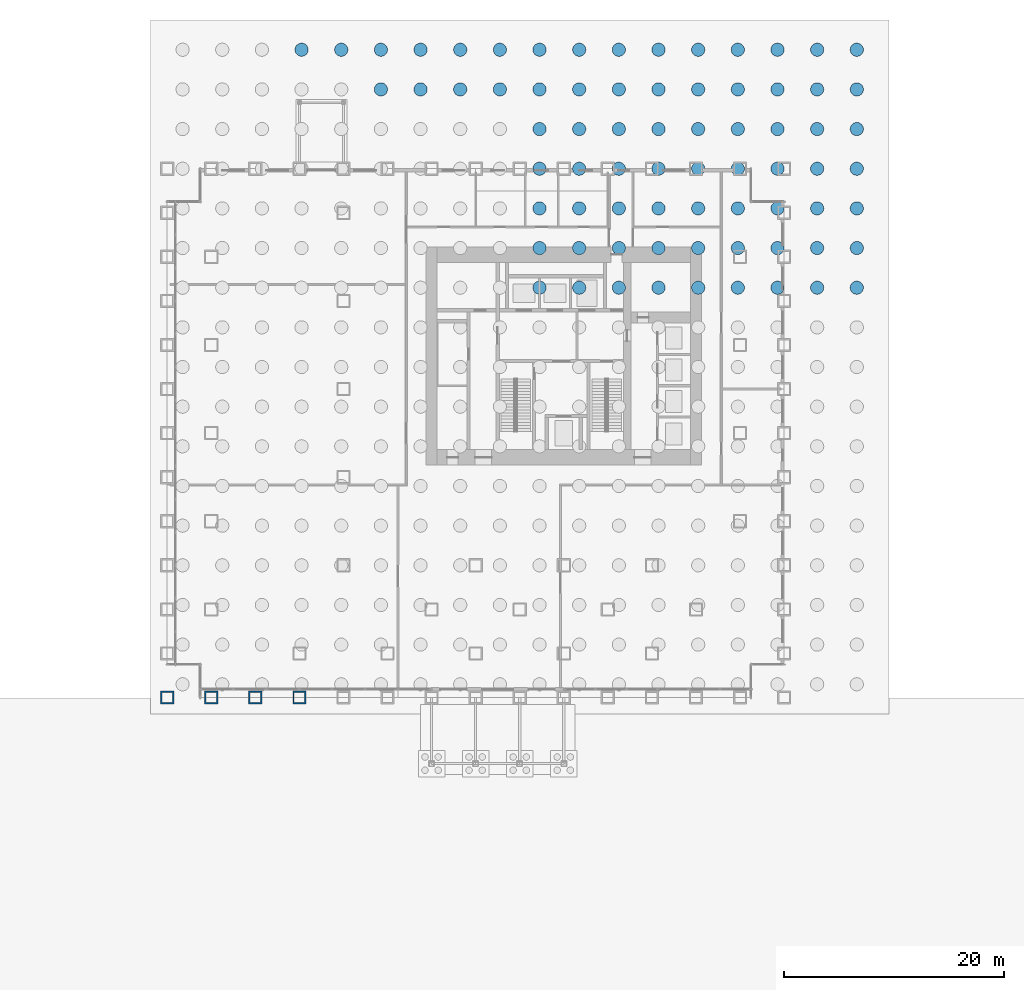
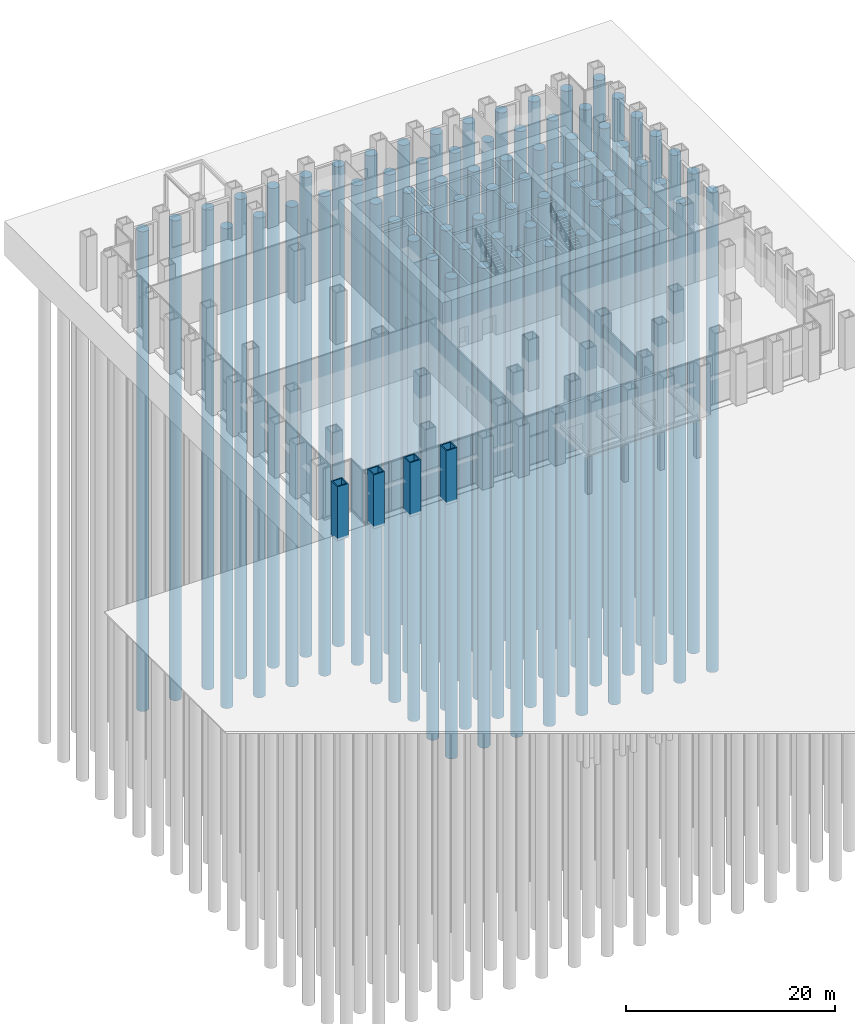
# One storey, part 2 of 17: 73 piles, 4 columns.
"""IFC4 building model written with IfcOpenShell, lengths in metres."""

from ifc_helpers import new_model, si_unit, direction, frame, origin, origin_2d, place, context, subcontext, project, spatial, hollow_rectangle, circle, extrude, material, material_profile, profile_set, type_object, element, save


model = new_model("IFC4")

# Units and contexts
model_context = context("Model", 3, precision=1e-05, world=origin(), true_north=direction((0.0, 1.0)))
body_context = subcontext(model_context, "Body", "Model", "MODEL_VIEW")
ifc_project = project(units=[si_unit("LENGTHUNIT", "METRE"), si_unit("AREAUNIT", "SQUARE_METRE"), si_unit("VOLUMEUNIT", "CUBIC_METRE"), si_unit("PLANEANGLEUNIT", "RADIAN"), si_unit("MASSUNIT", "GRAM", prefix="KILO")], contexts=[model_context])

# Site, building, storey
site_placement = place(None, origin())
site = spatial("IfcSite", under=ifc_project, at=site_placement, CompositionType="ELEMENT")
building_placement = place(site_placement, origin())
building = spatial("IfcBuilding", under=site, at=building_placement, Name="Rimbunsela Tower", CompositionType="ELEMENT")
storey_placement = place(building_placement, origin())
storey = spatial("IfcBuildingStorey", under=building, at=storey_placement, Name="L00", CompositionType="ELEMENT", Elevation=0.0)

# Piles
ifc_material_1 = material(Name="Concrete fc' 35 MPa", Category="concrete")
ifc_material_profile_1 = material_profile(ifc_material_1, circle(Radius=0.60009765625, at=origin_2d()), Name="BP D1200")
ifc_profile_set_1 = profile_set([ifc_material_profile_1], Name="Concrete fc' 35 MPa")
pile_type = type_object("IfcPileType", Name="Bored pile D1200", PredefinedType="BORED", material=ifc_profile_set_1)
for number, where, z_axis, x_axis, name in (
    (1, (6.199951171875, 54.800048828125, -4.300048828125), (0.0, 0.0, -1.0), (1.0, 0.0, 0.0), "Bored pile 4-17"),
    (2, (9.800048828125, 54.800048828125, -4.300048828125), (0.0, 0.0, -1.0), (1.0, 0.0, 0.0), "Bored pile 5-17"),
    (3, (13.39990234375, 51.199951171875, -4.300048828125), (0.0, 0.0, -1.0), (1.0, 0.0, 0.0), "Bored pile 6-16"),
    (4, (13.39990234375, 54.800048828125, -4.300048828125), (0.0, 0.0, -1.0), (1.0, 0.0, 0.0), "Bored pile 6-17"),
    (5, (17.0, 51.199951171875, -4.300048828125), (0.0, 0.0, -1.0), (1.0, 0.0, 0.0), "Bored pile 7-16"),
    (6, (17.0, 54.800048828125, -4.300048828125), (0.0, 0.0, -1.0), (1.0, 0.0, 0.0), "Bored pile 7-17"),
    (7, (20.60009765625, 51.199951171875, -4.300048828125), (0.0, 0.0, -1.0), (1.0, 0.0, 0.0), "Bored pile 8-16"),
    (8, (20.60009765625, 54.800048828125, -4.300048828125), (0.0, 0.0, -1.0), (1.0, 0.0, 0.0), "Bored pile 8-17"),
    (9, (24.199951171875, 51.199951171875, -4.300048828125), (0.0, 0.0, -1.0), (1.0, 0.0, 0.0), "Bored pile 9-16"),
    (10, (24.199951171875, 54.800048828125, -4.300048828125), (0.0, 0.0, -1.0), (1.0, 0.0, 0.0), "Bored pile 9-17"),
    (11, (27.800048828125, 33.199951171875, -4.300048828125), (0.0, 0.0, -1.0), (1.0, 0.0, 0.0), "Bored pile 10-11"),
    (12, (27.800048828125, 36.800048828125, -4.300048828125), (0.0, 0.0, -1.0), (1.0, 0.0, 0.0), "Bored pile 10-12"),
    (13, (27.800048828125, 40.39990234375, -4.300048828125), (0.0, 0.0, -1.0), (1.0, 0.0, 0.0), "Bored pile 10-13"),
    (14, (27.800048828125, 44.0, -4.300048828125), (0.0, 0.0, -1.0), (1.0, 0.0, 0.0), "Bored pile 10-14"),
    (15, (27.800048828125, 47.60009765625, -4.300048828125), (0.0, 0.0, -1.0), (1.0, 0.0, 0.0), "Bored pile 10-15"),
    (16, (27.800048828125, 51.199951171875, -4.300048828125), (0.0, 0.0, -1.0), (1.0, 0.0, 0.0), "Bored pile 10-16"),
    (17, (27.800048828125, 54.800048828125, -4.300048828125), (0.0, 0.0, -1.0), (1.0, 0.0, 0.0), "Bored pile 10-17"),
    (18, (31.39990234375, 33.199951171875, -4.300048828125), (0.0, 0.0, -1.0), (1.0, 0.0, 0.0), "Bored pile 11-11"),
    (19, (31.39990234375, 36.800048828125, -4.300048828125), (0.0, 0.0, -1.0), (1.0, 0.0, 0.0), "Bored pile 11-12"),
    (20, (31.39990234375, 40.39990234375, -4.300048828125), (0.0, 0.0, -1.0), (1.0, 0.0, 0.0), "Bored pile 11-13"),
    (21, (31.39990234375, 44.0, -4.300048828125), (0.0, 0.0, -1.0), (1.0, 0.0, 0.0), "Bored pile 11-14"),
    (22, (31.39990234375, 47.60009765625, -4.300048828125), (0.0, 0.0, -1.0), (1.0, 0.0, 0.0), "Bored pile 11-15"),
    (23, (31.39990234375, 51.199951171875, -4.300048828125), (0.0, 0.0, -1.0), (1.0, 0.0, 0.0), "Bored pile 11-16"),
    (24, (31.39990234375, 54.800048828125, -4.300048828125), (0.0, 0.0, -1.0), (1.0, 0.0, 0.0), "Bored pile 11-17"),
    (25, (35.0, 33.199951171875, -4.300048828125), (0.0, 0.0, -1.0), (1.0, 0.0, 0.0), "Bored pile 12-11"),
    (26, (35.0, 36.800048828125, -4.300048828125), (0.0, 0.0, -1.0), (1.0, 0.0, 0.0), "Bored pile 12-12"),
    (27, (35.0, 40.39990234375, -4.300048828125), (0.0, 0.0, -1.0), (1.0, 0.0, 0.0), "Bored pile 12-13"),
    (28, (35.0, 44.0, -4.300048828125), (0.0, 0.0, -1.0), (1.0, 0.0, 0.0), "Bored pile 12-14"),
    (29, (35.0, 47.60009765625, -4.300048828125), (0.0, 0.0, -1.0), (1.0, 0.0, 0.0), "Bored pile 12-15"),
    (30, (35.0, 51.199951171875, -4.300048828125), (0.0, 0.0, -1.0), (1.0, 0.0, 0.0), "Bored pile 12-16"),
    (31, (35.0, 54.800048828125, -4.300048828125), (0.0, 0.0, -1.0), (1.0, 0.0, 0.0), "Bored pile 12-17"),
    (32, (38.60009765625, 33.199951171875, -4.300048828125), (0.0, 0.0, -1.0), (1.0, 0.0, 0.0), "Bored pile 13-11"),
    (33, (38.60009765625, 36.800048828125, -4.300048828125), (0.0, 0.0, -1.0), (1.0, 0.0, 0.0), "Bored pile 13-12"),
    (34, (38.60009765625, 40.39990234375, -4.300048828125), (0.0, 0.0, -1.0), (1.0, 0.0, 0.0), "Bored pile 13-13"),
    (35, (38.60009765625, 44.0, -4.300048828125), (0.0, 0.0, -1.0), (1.0, 0.0, 0.0), "Bored pile 13-14"),
    (36, (38.60009765625, 47.60009765625, -4.300048828125), (0.0, 0.0, -1.0), (1.0, 0.0, 0.0), "Bored pile 13-15"),
    (37, (38.60009765625, 51.199951171875, -4.300048828125), (0.0, 0.0, -1.0), (1.0, 0.0, 0.0), "Bored pile 13-16"),
    (38, (38.60009765625, 54.800048828125, -4.300048828125), (0.0, 0.0, -1.0), (1.0, 0.0, 0.0), "Bored pile 13-17"),
    (39, (42.199951171875, 33.199951171875, -4.300048828125), (0.0, 0.0, -1.0), (1.0, 0.0, 0.0), "Bored pile 14-11"),
    (40, (42.199951171875, 36.800048828125, -4.300048828125), (0.0, 0.0, -1.0), (1.0, 0.0, 0.0), "Bored pile 14-12"),
    (41, (42.199951171875, 40.39990234375, -4.300048828125), (0.0, 0.0, -1.0), (1.0, 0.0, 0.0), "Bored pile 14-13"),
    (42, (42.199951171875, 44.0, -4.300048828125), (0.0, 0.0, -1.0), (1.0, 0.0, 0.0), "Bored pile 14-14"),
    (43, (42.199951171875, 47.60009765625, -4.300048828125), (0.0, 0.0, -1.0), (1.0, 0.0, 0.0), "Bored pile 14-15"),
    (44, (42.199951171875, 51.199951171875, -4.300048828125), (0.0, 0.0, -1.0), (1.0, 0.0, 0.0), "Bored pile 14-16"),
    (45, (42.199951171875, 54.800048828125, -4.300048828125), (0.0, 0.0, -1.0), (1.0, 0.0, 0.0), "Bored pile 14-17"),
    (46, (45.800048828125, 33.199951171875, -4.300048828125), (0.0, 0.0, -1.0), (1.0, 0.0, 0.0), "Bored pile 15-11"),
    (47, (45.800048828125, 36.800048828125, -4.300048828125), (0.0, 0.0, -1.0), (1.0, 0.0, 0.0), "Bored pile 15-12"),
    (48, (45.800048828125, 40.39990234375, -4.300048828125), (0.0, 0.0, -1.0), (1.0, 0.0, 0.0), "Bored pile 15-13"),
    (49, (45.800048828125, 44.0, -4.300048828125), (0.0, 0.0, -1.0), (1.0, 0.0, 0.0), "Bored pile 15-14"),
    (50, (45.800048828125, 47.60009765625, -4.300048828125), (0.0, 0.0, -1.0), (1.0, 0.0, 0.0), "Bored pile 15-15"),
    (51, (45.800048828125, 51.199951171875, -4.300048828125), (0.0, 0.0, -1.0), (1.0, 0.0, 0.0), "Bored pile 15-16"),
    (52, (45.800048828125, 54.800048828125, -4.300048828125), (0.0, 0.0, -1.0), (1.0, 0.0, 0.0), "Bored pile 15-17"),
    (53, (49.39990234375, 33.199951171875, -4.300048828125), (0.0, 0.0, -1.0), (1.0, 0.0, 0.0), "Bored pile 16-11"),
    (54, (49.39990234375, 36.800048828125, -4.300048828125), (0.0, 0.0, -1.0), (1.0, 0.0, 0.0), "Bored pile 16-12"),
    (55, (49.39990234375, 40.39990234375, -4.300048828125), (0.0, 0.0, -1.0), (1.0, 0.0, 0.0), "Bored pile 16-13"),
    (56, (49.39990234375, 44.0, -4.300048828125), (0.0, 0.0, -1.0), (1.0, 0.0, 0.0), "Bored pile 16-14"),
    (57, (49.39990234375, 47.60009765625, -4.300048828125), (0.0, 0.0, -1.0), (1.0, 0.0, 0.0), "Bored pile 16-15"),
    (58, (49.39990234375, 51.199951171875, -4.300048828125), (0.0, 0.0, -1.0), (1.0, 0.0, 0.0), "Bored pile 16-16"),
    (59, (49.39990234375, 54.800048828125, -4.300048828125), (0.0, 0.0, -1.0), (1.0, 0.0, 0.0), "Bored pile 16-17"),
    (60, (53.0, 33.199951171875, -4.300048828125), (0.0, 0.0, -1.0), (1.0, 0.0, 0.0), "Bored pile 17-11"),
    (61, (53.0, 36.800048828125, -4.300048828125), (0.0, 0.0, -1.0), (1.0, 0.0, 0.0), "Bored pile 17-12"),
    (62, (53.0, 40.39990234375, -4.300048828125), (0.0, 0.0, -1.0), (1.0, 0.0, 0.0), "Bored pile 17-13"),
    (63, (53.0, 44.0, -4.300048828125), (0.0, 0.0, -1.0), (1.0, 0.0, 0.0), "Bored pile 17-14"),
    (64, (53.0, 47.60009765625, -4.300048828125), (0.0, 0.0, -1.0), (1.0, 0.0, 0.0), "Bored pile 17-15"),
    (65, (53.0, 51.199951171875, -4.300048828125), (0.0, 0.0, -1.0), (1.0, 0.0, 0.0), "Bored pile 17-16"),
    (66, (53.0, 54.800048828125, -4.300048828125), (0.0, 0.0, -1.0), (1.0, 0.0, 0.0), "Bored pile 17-17"),
    (67, (56.60009765625, 33.199951171875, -4.300048828125), (0.0, 0.0, -1.0), (1.0, 0.0, 0.0), "Bored pile 18-11"),
    (68, (56.60009765625, 36.800048828125, -4.300048828125), (0.0, 0.0, -1.0), (1.0, 0.0, 0.0), "Bored pile 18-12"),
    (69, (56.60009765625, 40.39990234375, -4.300048828125), (0.0, 0.0, -1.0), (1.0, 0.0, 0.0), "Bored pile 18-13"),
    (70, (56.60009765625, 44.0, -4.300048828125), (0.0, 0.0, -1.0), (1.0, 0.0, 0.0), "Bored pile 18-14"),
    (71, (56.60009765625, 47.60009765625, -4.300048828125), (0.0, 0.0, -1.0), (1.0, 0.0, 0.0), "Bored pile 18-15"),
    (72, (56.60009765625, 51.199951171875, -4.300048828125), (0.0, 0.0, -1.0), (1.0, 0.0, 0.0), "Bored pile 18-16"),
    (73, (56.60009765625, 54.800048828125, -4.300048828125), (0.0, 0.0, -1.0), (1.0, 0.0, 0.0), "Bored pile 18-17"),
):
    element("IfcPile", number, at=place(storey_placement, frame(where, z_axis=z_axis, x_axis=x_axis)), inside=storey, type_object=pile_type, Name=name, PredefinedType="BORED", context=body_context, shape_type="SweptSolid", body=[
        extrude(circle(Radius=0.60009765625, at=origin_2d()), origin(), (0.0, 0.0, 1.0), 56.0),
    ])

# Columns
ifc_material_2 = material(Name="Steel BJ 55 (fy 410 MPa)", Category="steel")
ifc_material_profile_2 = material_profile(ifc_material_2, hollow_rectangle(XDim=1.199951171875, YDim=1.199951171875, WallThickness=0.125, at=origin_2d()), Name="BOX 1200x1200x125")
ifc_profile_set_2 = profile_set([ifc_material_profile_2], Name="Steel BJ 55 (fy 410 MPa)")
column_type = type_object("IfcColumnType", Name="Column BOX 1200x1200x125", PredefinedType="COLUMN", material=ifc_profile_set_2)
for number, where, z_axis, x_axis, name in (
    (74, (-6.0, -4.0, -0.300048828125), (0.0, 0.0, 1.0), (1.0, 0.0, 0.0), "Column C6 1/A L00"),
    (75, (-2.0, -4.0, -0.300048828125), (0.0, 0.0, 1.0), (1.0, 0.0, 0.0), "Column C6 2/A L00"),
    (76, (2.0, -4.0, -0.300048828125), (0.0, 0.0, 1.0), (1.0, 0.0, 0.0), "Column C6 3/A L00"),
    (77, (6.0, -4.0, -0.300048828125), (0.0, 0.0, 1.0), (1.0, 0.0, 0.0), "Column C6 4/A L00"),
):
    element("IfcColumn", number, at=place(storey_placement, frame(where, z_axis=z_axis, x_axis=x_axis)), inside=storey, type_object=column_type, Name=name, PredefinedType="COLUMN", context=body_context, shape_type="SweptSolid", body=[
        extrude(hollow_rectangle(XDim=1.199951171875, YDim=1.199951171875, WallThickness=0.125, at=origin_2d()), origin(), (0.0, 0.0, 1.0), 6.300048828125),
    ])

save(model, "model.ifc")
